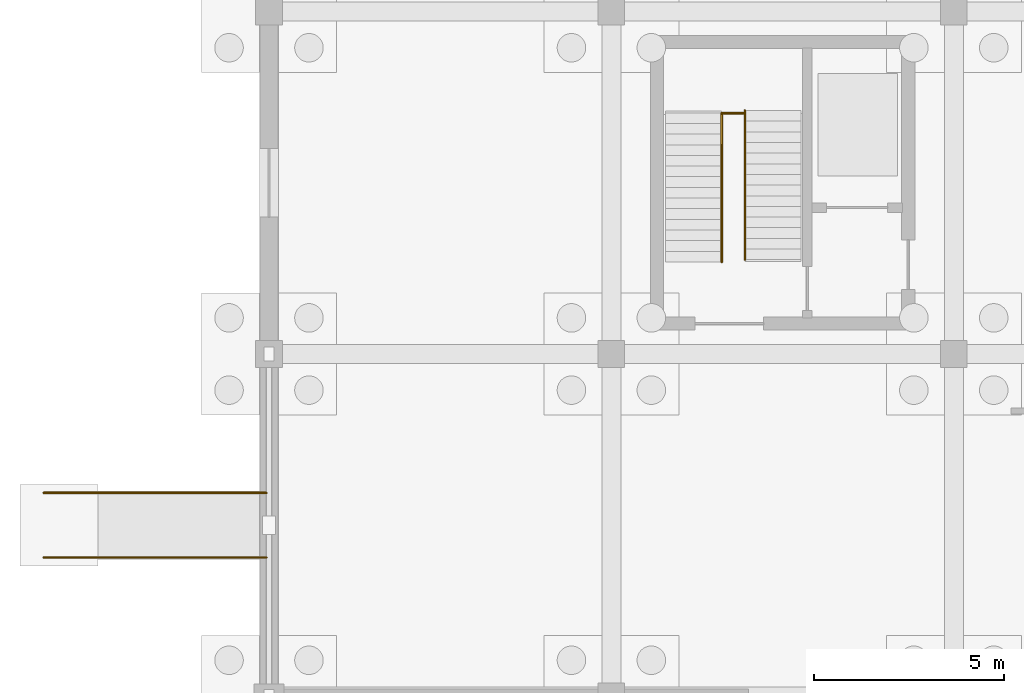
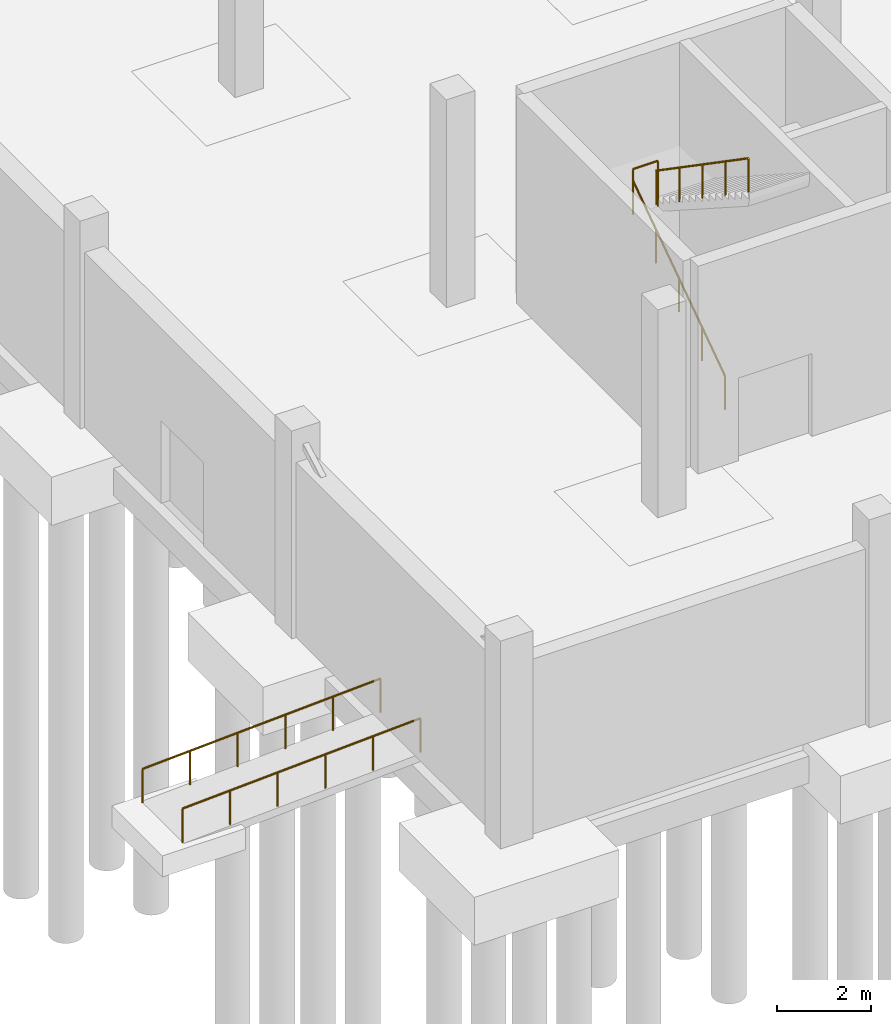
# One storey, part 108 of 118: 5 railings.
"""IFC4 building model written with IfcOpenShell, lengths in metres."""

from ifc_helpers import new_model, si_unit, direction, frame, origin, origin_2d, place, context, subcontext, project, spatial, circle, extrude, material, type_object, element, save


model = new_model("IFC4")

# Units and contexts
model_context = context("Model", 3, precision=1e-05, world=origin(), true_north=direction((0.0, 1.0)))
body_context = subcontext(model_context, "Body", "Model", "MODEL_VIEW")
ifc_project = project(units=[si_unit("LENGTHUNIT", "METRE"), si_unit("AREAUNIT", "SQUARE_METRE"), si_unit("VOLUMEUNIT", "CUBIC_METRE"), si_unit("PLANEANGLEUNIT", "RADIAN"), si_unit("MASSUNIT", "GRAM", prefix="KILO")], contexts=[model_context])

# Site, building, storey
site_placement = place(None, origin())
site = spatial("IfcSite", under=ifc_project, at=site_placement, CompositionType="ELEMENT")
building_placement = place(site_placement, origin())
building = spatial("IfcBuilding", under=site, at=building_placement, Name="Kildeholm Park Wholesale Market", CompositionType="ELEMENT")
storey_placement = place(building_placement, origin())
storey = spatial("IfcBuildingStorey", under=building, at=storey_placement, Name="L00", CompositionType="ELEMENT", Elevation=0.0)

# Railings
ifc_material_1 = material(Name="Painted steel and laminated glass balustrade", Category="steel")
railing_type_1 = type_object("IfcRailingType", Name="Interior gallery and stairwell guard GR-IN1 1200 mm", PredefinedType="GUARDRAIL", material=ifc_material_1)
railing_1_placement = place(storey_placement, frame((11.89990234375, 114.330078125, 2.699951171875)))
element("IfcRailing", 1, at=railing_1_placement, inside=storey, type_object=railing_type_1, Name="Stair C01 half-landing well guard L00 RLG-0022", PredefinedType="GUARDRAIL", context=body_context, shape_type="SweptSolid", body=[
    extrude(circle(Radius=0.02392578125, at=origin_2d()), frame((0.0, 0.0, 1.17578125), z_axis=(1.0, 0.0, 0.0), x_axis=(0.0, 1.0, 0.0)), (0.0, 0.0, 1.0), 0.610107421875),
    extrude(circle(Radius=0.02099609375, at=origin_2d()), origin(), (0.0, 0.0, 1.0), 1.15185546875),
    extrude(circle(Radius=0.02099609375, at=origin_2d()), frame((0.610107421875, 0.0, 0.0)), (0.0, 0.0, 1.0), 1.15185546875),
])
ifc_material_2 = material(Name="Stainless steel AISI 316 handrail", Category="steel")
railing_type_2 = type_object("IfcRailingType", Name="Ramp handrail HR-EX1 900 mm", PredefinedType="HANDRAIL", material=ifc_material_2)
for number, where, name in (
    (2, (-5.919921875, 102.64990234375, -0.300048828125), "Ramp handrail RM-DK-W R RLG-0018"),
    (3, (-5.919921875, 104.35009765625, -0.300048828125), "Ramp handrail RM-DK-W L RLG-0019"),
):
    element("IfcRailing", number, at=place(storey_placement, frame(where)), inside=storey, type_object=railing_type_2, Name=name, PredefinedType="HANDRAIL", context=body_context, shape_type="SweptSolid", body=[
        extrude(circle(Radius=0.02392578125, at=origin_2d()), frame((0.0, 0.0, 0.8759765625), z_axis=(0.998687171473, 0.0, 0.051224345133), x_axis=(0.0, 1.0, 0.0)), (0.0, 0.0, 1.0), 5.857421875),
        extrude(circle(Radius=0.02099609375, at=origin_2d()), origin(), (0.0, 0.0, 1.0), 0.851806640625),
        extrude(circle(Radius=0.02099609375, at=origin_2d()), frame((1.169921875, 0.0, 0.06005859375)), (0.0, 0.0, 1.0), 0.851806640625),
        extrude(circle(Radius=0.02099609375, at=origin_2d()), frame((2.33984375, 0.0, 0.1201171875)), (0.0, 0.0, 1.0), 0.851806640625),
        extrude(circle(Radius=0.02099609375, at=origin_2d()), frame((3.510009765625, 0.0, 0.179931640625)), (0.0, 0.0, 1.0), 0.851806640625),
        extrude(circle(Radius=0.02099609375, at=origin_2d()), frame((4.679931640625, 0.0, 0.239990234375)), (0.0, 0.0, 1.0), 0.851806640625),
        extrude(circle(Radius=0.02099609375, at=origin_2d()), frame((5.849853515625, 0.0, 0.300048828125)), (0.0, 0.0, 1.0), 0.851806640625),
    ])
railing_type_3 = type_object("IfcRailingType", Name="Stair flight handrail HR-IN1 900 mm", PredefinedType="HANDRAIL", material=ifc_material_2)
railing_2_placement = place(storey_placement, frame((11.89990234375, 110.419921875, 0.0)))
element("IfcRailing", 4, at=railing_2_placement, inside=storey, type_object=railing_type_3, Name="Stair C01 flight 1 handrail L00 RLG-0024", PredefinedType="HANDRAIL", context=body_context, shape_type="SweptSolid", body=[
    extrude(circle(Radius=0.02392578125, at=origin_2d()), frame((0.0, 0.0, 0.8759765625), z_axis=(0.0, 0.823567234665, 0.567218661528), x_axis=(-1.0, 0.0, 0.0)), (0.0, 0.0, 1.0), 4.760009765625),
    extrude(circle(Radius=0.02099609375, at=origin_2d()), origin(), (0.0, 0.0, 1.0), 0.851806640625),
    extrude(circle(Radius=0.02099609375, at=origin_2d()), frame((0.0, 0.97998046875, 0.675048828125)), (0.0, 0.0, 1.0), 0.851806640625),
    extrude(circle(Radius=0.02099609375, at=origin_2d()), frame((0.0, 1.9599609375, 1.35009765625)), (0.0, 0.0, 1.0), 0.851806640625),
    extrude(circle(Radius=0.02099609375, at=origin_2d()), frame((0.0, 2.940185546875, 2.02490234375)), (0.0, 0.0, 1.0), 0.851806640625),
    extrude(circle(Radius=0.02099609375, at=origin_2d()), frame((0.0, 3.920166015625, 2.699951171875)), (0.0, 0.0, 1.0), 0.851806640625),
])
railing_3_placement = place(storey_placement, frame((12.510009765625, 114.39990234375, 2.699951171875)))
element("IfcRailing", 5, at=railing_3_placement, inside=storey, type_object=railing_type_3, Name="Stair C01 flight 2 handrail L00 RLG-0025", PredefinedType="HANDRAIL", context=body_context, shape_type="SweptSolid", body=[
    extrude(circle(Radius=0.02392578125, at=origin_2d()), frame((0.0, 0.0, 0.8759765625), z_axis=(0.0, -0.823550731654, 0.567242622158), x_axis=(1.0, 0.0, 0.0)), (0.0, 0.0, 1.0), 4.759765625),
    extrude(circle(Radius=0.02099609375, at=origin_2d()), origin(), (0.0, 0.0, 1.0), 0.851806640625),
    extrude(circle(Radius=0.02099609375, at=origin_2d()), frame((0.0, -0.97998046875, 0.675048828125)), (0.0, 0.0, 1.0), 0.851806640625),
    extrude(circle(Radius=0.02099609375, at=origin_2d()), frame((0.0, -1.9599609375, 1.35009765625)), (0.0, 0.0, 1.0), 0.851806640625),
    extrude(circle(Radius=0.02099609375, at=origin_2d()), frame((0.0, -2.93994140625, 2.02490234375)), (0.0, 0.0, 1.0), 0.851806640625),
    extrude(circle(Radius=0.02099609375, at=origin_2d()), frame((0.0, -3.919921875, 2.699951171875)), (0.0, 0.0, 1.0), 0.851806640625),
])

save(model, "model.ifc")
